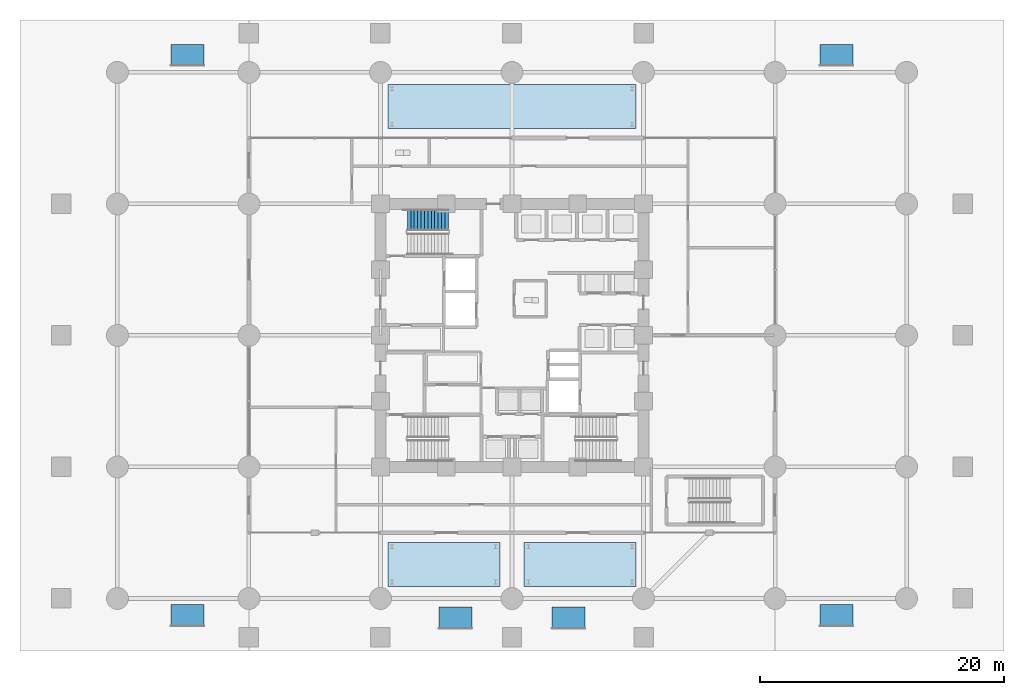
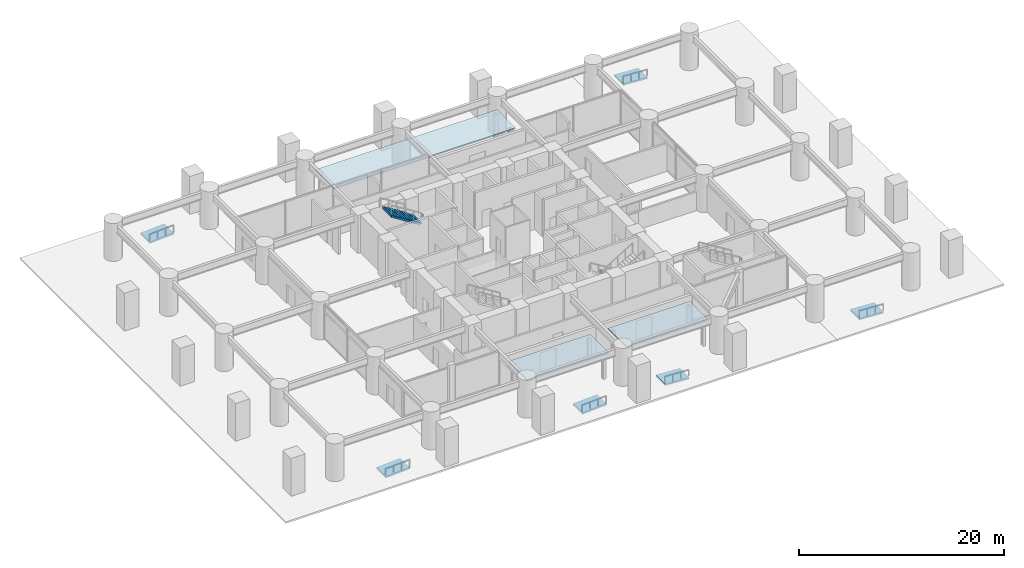
# One storey, part 22 of 29: 6 ramp flights, 3 roofs, 1 stair flight, 7 elements without a shape of their own.
"""IFC4 building model written with IfcOpenShell, lengths in metres."""

from ifc_helpers import new_model, si_unit, direction, frame, origin, place, context, subcontext, project, spatial, polyline, outline, extrude, material, layer, layer_set, type_object, element, aggregate, save


model = new_model("IFC4")

# Units and contexts
model_context = context("Model", 3, precision=1e-05, world=origin(), true_north=direction((0.0, 1.0)))
body_context = subcontext(model_context, "Body", "Model", "MODEL_VIEW")
ifc_project = project(units=[si_unit("LENGTHUNIT", "METRE"), si_unit("AREAUNIT", "SQUARE_METRE"), si_unit("VOLUMEUNIT", "CUBIC_METRE"), si_unit("PLANEANGLEUNIT", "RADIAN"), si_unit("MASSUNIT", "GRAM", prefix="KILO")], contexts=[model_context])

# Site, building, storey
site_placement = place(None, origin())
site = spatial("IfcSite", under=ifc_project, at=site_placement, CompositionType="ELEMENT")
building_placement = place(site_placement, origin())
building = spatial("IfcBuilding", under=site, at=building_placement, Name="Surkhivell Harbour Commons", CompositionType="ELEMENT")
storey_placement = place(building_placement, origin())
storey = spatial("IfcBuildingStorey", under=building, at=storey_placement, Name="L00", CompositionType="ELEMENT", Elevation=0.0)

# Stair, stair flight
ifc_material_1 = material(Name="Precast concrete C45/55", Category="concrete")
stair_type = type_object("IfcStairType", Name="STR-DL-450", PredefinedType="HALF_TURN_STAIR", material=ifc_material_1)
stair_placement = place(storey_placement, origin())
stair = element("IfcStair", 1, at=stair_placement, inside=storey, type_object=stair_type, Name="L00 Core Exit Stair ST1", PredefinedType="HALF_TURN_STAIR")
stair_flight_type = type_object("IfcStairFlightType", Name="STF-DL-450", PredefinedType="STRAIGHT", material=ifc_material_1)
stair_flight_placement = place(storey_placement, frame((-5.22998046875, 9.465087890625, 2.25), z_axis=(0.0, 0.0, 1.0), x_axis=(-1.0, 0.0, 0.0)))
stair_flight = element("IfcStairFlight", 2, at=stair_flight_placement, type_object=stair_flight_type, Name="ST1 flight 2", NumberOfRisers=13, NumberOfTreads=12, PredefinedType="STRAIGHT", RiserHeight=0.173076923, TreadLength=0.28, context=body_context, shape_type="SweptSolid", body=[
    extrude(outline(polyline([(-0.0029296875, -0.034912109375), (-0.0029296875, 0.0), (0.0, 0.0), (0.0, 0.173095703125), (0.280029296875, 0.173095703125), (0.280029296875, 0.34619140625), (0.56005859375, 0.34619140625), (0.56005859375, 0.519287109375), (0.840087890625, 0.519287109375), (0.840087890625, 0.6923828125), (1.1201171875, 0.6923828125), (1.1201171875, 0.865478515625), (1.39990234375, 0.865478515625), (1.39990234375, 1.03857421875), (1.679931640625, 1.03857421875), (1.679931640625, 1.21142578125), (1.9599609375, 1.21142578125), (1.9599609375, 1.384521484375), (2.239990234375, 1.384521484375), (2.239990234375, 1.5576171875), (2.52001953125, 1.5576171875), (2.52001953125, 1.730712890625), (2.800048828125, 1.730712890625), (2.800048828125, 1.90380859375), (3.080078125, 1.90380859375), (3.080078125, 2.076904296875), (3.360107421875, 2.076904296875), (3.360107421875, 2.25), (3.363037109375, 2.25), (3.363037109375, 1.900634765625), (0.28515625, -0.034912109375), (-0.0029296875, -0.034912109375)])), frame((0.0, 0.875, 0.0), z_axis=(0.0, -1.0, 0.0), x_axis=(1.0, 0.0, 0.0)), (0.0, 0.0, 1.0), 1.75),
])
aggregate(stair, [stair_flight])

# Ramp, ramp flight
ifc_material_2 = material(Name="Precast concrete C40/50", Category="concrete")
ramp_type = type_object("IfcRampType", Name="RMP-PED-ACC", PredefinedType="STRAIGHT_RUN_RAMP", material=ifc_material_2)
ramp_1_placement = place(storey_placement, origin())
ramp_1 = element("IfcRamp", 3, at=ramp_1_placement, inside=storey, type_object=ramp_type, Name="L00 Step-Free Plaza Access Ramp R-01", PredefinedType="STRAIGHT_RUN_RAMP")
ifc_layer_1 = layer(ifc_material_2, 0.199951171875)
ifc_layer_set_1 = layer_set([ifc_layer_1], Name="Precast concrete C40/50")
ramp_flight_type = type_object("IfcRampFlightType", Name="RMF-PED-ACC", PredefinedType="STRAIGHT", material=ifc_layer_set_1)
ramp_flight_1_placement = place(storey_placement, frame((-28.0, -23.89990234375, -0.14990234375), z_axis=(-0.055435016772, 0.0, 0.998462297193), x_axis=(0.998462297193, 0.0, 0.055435016772)))
ramp_flight_1 = element("IfcRampFlight", 4, at=ramp_flight_1_placement, type_object=ramp_flight_type, Name="L00 Accessible Ramp Flight RF-01", PredefinedType="STRAIGHT", context=body_context, shape_type="SweptSolid", body=[
    extrude(outline(polyline([(0.0, 0.0), (2.7041092883186004, 0.0), (2.7041092883186004, 1.7998046874999998), (0.0, 1.7998046874999998), (0.0, 0.0)])), origin(), (0.0, 0.0, -1.0), 0.199951171875),
])
aggregate(ramp_1, [ramp_flight_1])

ramp_2_placement = place(storey_placement, origin())
ramp_2 = element("IfcRamp", 5, at=ramp_2_placement, inside=storey, type_object=ramp_type, Name="L00 Step-Free Plaza Access Ramp R-02", PredefinedType="STRAIGHT_RUN_RAMP")
ramp_flight_2_placement = place(storey_placement, frame((-28.0, 22.10009765625, -0.14990234375), z_axis=(-0.055435016772, 0.0, 0.998462297193), x_axis=(0.998462297193, 0.0, 0.055435016772)))
ramp_flight_2 = element("IfcRampFlight", 6, at=ramp_flight_2_placement, type_object=ramp_flight_type, Name="L00 Accessible Ramp Flight RF-02", PredefinedType="STRAIGHT", context=body_context, shape_type="SweptSolid", body=[
    extrude(outline(polyline([(0.0, 0.0), (2.7041092883186004, 0.0), (2.7041092883186004, 1.7998046874999998), (0.0, 1.7998046874999998), (0.0, 0.0)])), origin(), (0.0, 0.0, -1.0), 0.199951171875),
])
aggregate(ramp_2, [ramp_flight_2])

ramp_3_placement = place(storey_placement, origin())
ramp_3 = element("IfcRamp", 7, at=ramp_3_placement, inside=storey, type_object=ramp_type, Name="L00 Step-Free Plaza Access Ramp R-03", PredefinedType="STRAIGHT_RUN_RAMP")
ramp_flight_3_placement = place(storey_placement, frame((25.300048828125, -23.89990234375, 0.0), z_axis=(0.055435016772, 0.0, 0.998462297193), x_axis=(0.998462297193, 0.0, -0.055435016772)))
ramp_flight_3 = element("IfcRampFlight", 8, at=ramp_flight_3_placement, type_object=ramp_flight_type, Name="L00 Accessible Ramp Flight RF-03", PredefinedType="STRAIGHT", context=body_context, shape_type="SweptSolid", body=[
    extrude(outline(polyline([(0.0, 0.0), (2.7041092883186004, 0.0), (2.7041092883186004, 1.7998046874999998), (0.0, 1.7998046874999998), (0.0, 0.0)])), origin(), (0.0, 0.0, -1.0), 0.199951171875),
])
aggregate(ramp_3, [ramp_flight_3])

ramp_4_placement = place(storey_placement, origin())
ramp_4 = element("IfcRamp", 9, at=ramp_4_placement, inside=storey, type_object=ramp_type, Name="L00 Step-Free Plaza Access Ramp R-04", PredefinedType="STRAIGHT_RUN_RAMP")
ramp_flight_4_placement = place(storey_placement, frame((25.300048828125, 22.10009765625, 0.0), z_axis=(0.055435016772, 0.0, 0.998462297193), x_axis=(0.998462297193, 0.0, -0.055435016772)))
ramp_flight_4 = element("IfcRampFlight", 10, at=ramp_flight_4_placement, type_object=ramp_flight_type, Name="L00 Accessible Ramp Flight RF-04", PredefinedType="STRAIGHT", context=body_context, shape_type="SweptSolid", body=[
    extrude(outline(polyline([(0.0, 0.0), (2.7041092883186004, 0.0), (2.7041092883186004, 1.7998046874999998), (0.0, 1.7998046874999998), (0.0, 0.0)])), origin(), (0.0, 0.0, -1.0), 0.199951171875),
])
aggregate(ramp_4, [ramp_flight_4])

ramp_5_placement = place(storey_placement, origin())
ramp_5 = element("IfcRamp", 11, at=ramp_5_placement, inside=storey, type_object=ramp_type, Name="L00 Step-Free Plaza Access Ramp R-05", PredefinedType="STRAIGHT_RUN_RAMP")
ramp_flight_5_placement = place(storey_placement, frame((-6.0, -24.10009765625, -0.14990234375), z_axis=(-0.055435016772, 0.0, 0.998462297193), x_axis=(0.998462297193, 0.0, 0.055435016772)))
ramp_flight_5 = element("IfcRampFlight", 12, at=ramp_flight_5_placement, type_object=ramp_flight_type, Name="L00 Accessible Ramp Flight RF-05", PredefinedType="STRAIGHT", context=body_context, shape_type="SweptSolid", body=[
    extrude(outline(polyline([(0.0, 0.0), (2.7041092883186004, 0.0), (2.7041092883186004, 1.800048828125), (0.0, 1.800048828125), (0.0, 0.0)])), origin(), (0.0, 0.0, -1.0), 0.199951171875),
])
aggregate(ramp_5, [ramp_flight_5])

ramp_6_placement = place(storey_placement, origin())
ramp_6 = element("IfcRamp", 13, at=ramp_6_placement, inside=storey, type_object=ramp_type, Name="L00 Step-Free Plaza Access Ramp R-06", PredefinedType="STRAIGHT_RUN_RAMP")
ramp_flight_6_placement = place(storey_placement, frame((3.300048828125, -24.10009765625, 0.0), z_axis=(0.055435016772, 0.0, 0.998462297193), x_axis=(0.998462297193, 0.0, -0.055435016772)))
ramp_flight_6 = element("IfcRampFlight", 14, at=ramp_flight_6_placement, type_object=ramp_flight_type, Name="L00 Accessible Ramp Flight RF-06", PredefinedType="STRAIGHT", context=body_context, shape_type="SweptSolid", body=[
    extrude(outline(polyline([(0.0, 0.0), (2.7041092883186004, 0.0), (2.7041092883186004, 1.800048828125), (0.0, 1.800048828125), (0.0, 0.0)])), origin(), (0.0, 0.0, -1.0), 0.199951171875),
])
aggregate(ramp_6, [ramp_flight_6])

# Roofs
ifc_material_3 = material(Name="Pale-metal aluminium and laminated canopy glass", Category="aluminium")
ifc_layer_2 = layer(ifc_material_3, 0.159912109375)
ifc_layer_set_2 = layer_set([ifc_layer_2], Name="Pale-metal aluminium and laminated canopy glass")
roof_type = type_object("IfcRoofType", Name="ROF-CAN-GLZ", PredefinedType="PAVILION_ROOF", material=ifc_layer_set_2)
roof_1_placement = place(storey_placement, frame((0.0, 0.0, 2.989990234375)))
element("IfcRoof", 15, at=roof_1_placement, inside=storey, type_object=roof_type, Name="L00 Glazed Pale-Metal Canopy CAN-S1", PredefinedType="PAVILION_ROOF", context=body_context, shape_type="SweptSolid", body=[
    extrude(outline(polyline([(-10.199951171875, -20.60009765625), (-1.0, -20.60009765625), (-1.0, -17.0), (-10.199951171875, -17.0), (-10.199951171875, -20.60009765625)])), origin(), (0.0, 0.0, 1.0), 0.159912109375),
])
roof_2_placement = place(storey_placement, frame((0.0, 0.0, 2.989990234375)))
element("IfcRoof", 16, at=roof_2_placement, inside=storey, type_object=roof_type, Name="L00 Glazed Pale-Metal Canopy CAN-S2", PredefinedType="PAVILION_ROOF", context=body_context, shape_type="SweptSolid", body=[
    extrude(outline(polyline([(1.0, -20.60009765625), (10.199951171875, -20.60009765625), (10.199951171875, -17.0), (1.0, -17.0), (1.0, -20.60009765625)])), origin(), (0.0, 0.0, 1.0), 0.159912109375),
])
roof_3_placement = place(storey_placement, frame((0.0, 0.0, 2.989990234375)))
element("IfcRoof", 17, at=roof_3_placement, inside=storey, type_object=roof_type, Name="L00 Glazed Pale-Metal Canopy CAN-N1", PredefinedType="PAVILION_ROOF", context=body_context, shape_type="SweptSolid", body=[
    extrude(outline(polyline([(-10.199951171875, 17.0), (10.199951171875, 17.0), (10.199951171875, 20.60009765625), (-10.199951171875, 20.60009765625), (-10.199951171875, 17.0)])), origin(), (0.0, 0.0, 1.0), 0.159912109375),
])

save(model, "model.ifc")
